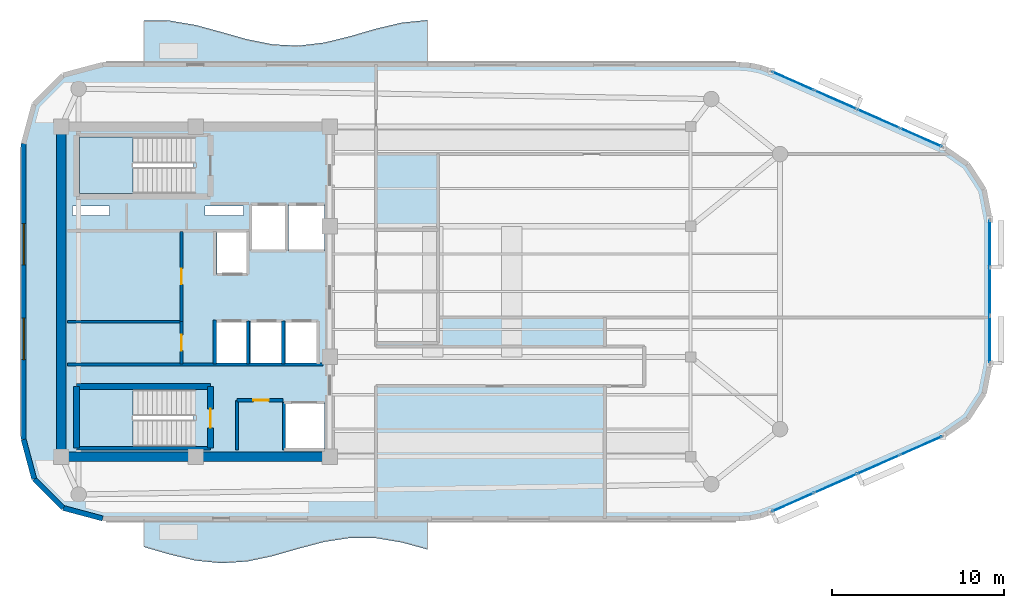
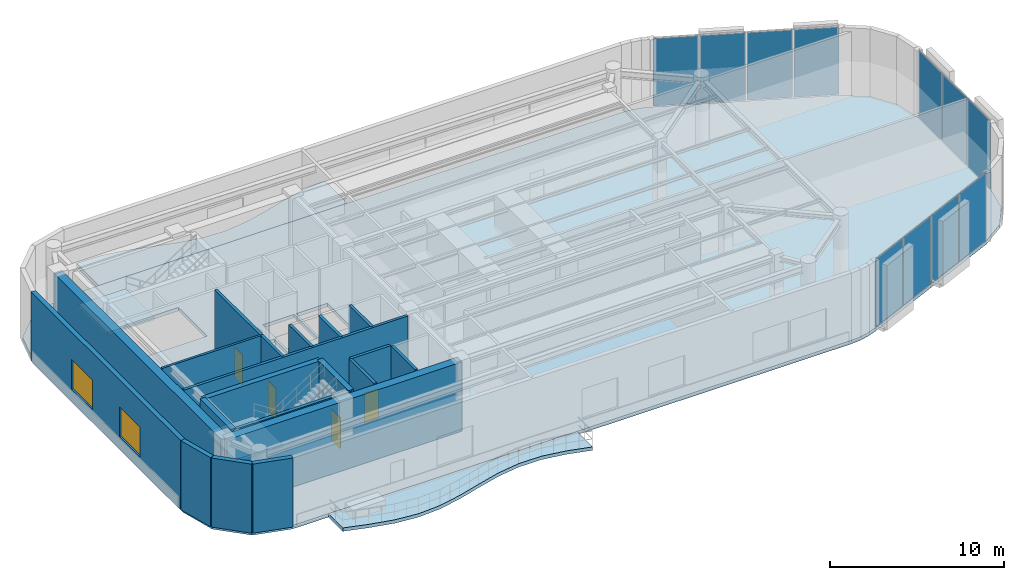
# One storey, part 7 of 12: 20 walls, 11 plates, 5 slabs, 4 doors, 2 windows, 6 openings, 5 elements without a shape of their own.
"""IFC4 building model written with IfcOpenShell, lengths in metres."""

from ifc_helpers import new_model, si_unit, direction, frame, frame_2d, origin, origin_2d, place, context, subcontext, project, spatial, polyline, rectangle, outline, extrude, material, layer, layer_set, type_object, element, fill, aggregate, save


model = new_model("IFC4")

# Units and contexts
model_context = context("Model", 3, precision=1e-05, world=origin(), true_north=direction((0.0, 1.0)))
body_context = subcontext(model_context, "Body", "Model", "MODEL_VIEW")
ifc_project = project(units=[si_unit("LENGTHUNIT", "METRE"), si_unit("AREAUNIT", "SQUARE_METRE"), si_unit("VOLUMEUNIT", "CUBIC_METRE"), si_unit("PLANEANGLEUNIT", "RADIAN"), si_unit("MASSUNIT", "GRAM", prefix="KILO")], contexts=[model_context])

# Site, building, storey
site_placement = place(None, origin())
site = spatial("IfcSite", under=ifc_project, at=site_placement, CompositionType="ELEMENT")
building_placement = place(site_placement, origin())
building = spatial("IfcBuilding", under=site, at=building_placement, Name="An Khanh Terracotta Commons", CompositionType="ELEMENT")
storey_placement = place(building_placement, frame((0.0, 0.0, 295.300048828125)))
storey = spatial("IfcBuildingStorey", under=building, at=storey_placement, Name="L77", CompositionType="ELEMENT", Elevation=295.300048828125)

# Curtain wall, plates
ifc_material_1 = material(Name="Anodised Aluminium 6063-T6", Category="aluminium")
ifc_layer_1 = layer(ifc_material_1, 0.239990234375, Name="Anodised Aluminium 6063-T6")
ifc_layer_set_1 = layer_set([ifc_layer_1], Name="Anodised Aluminium 6063-T6")
curtain_wall_type = type_object("IfcCurtainWallType", Name="CW-SYS-04", PredefinedType="USERDEFINED", material=ifc_layer_set_1)
curtain_wall_1_placement = place(storey_placement, origin())
curtain_wall_1 = element("IfcCurtainWall", 1, at=curtain_wall_1_placement, inside=storey, type_object=curtain_wall_type, Name="L77 CW-04 Unitised Curtain Wall CW-L77-08", ObjectType="UNITISED CURTAIN WALL", PredefinedType="USERDEFINED")
ifc_material_2 = material(Name="Triple-Silver Sky-Lobby Glazing", Category="glass")
ifc_layer_2 = layer(ifc_material_2, 0.0400390625, Name="Triple-Silver Sky-Lobby Glazing")
ifc_layer_set_2 = layer_set([ifc_layer_2], Name="Triple-Silver Sky-Lobby Glazing")
plate_type = type_object("IfcPlateType", Name="CWP-IGU-40", PredefinedType="CURTAIN_PANEL", material=ifc_layer_set_2)
plate_1_placement = place(storey_placement, frame((64.151611328125, 11.7490234375, 0.06005859375), z_axis=(0.0, 0.0, 1.0), x_axis=(0.914901853201, 0.403676354285, 0.0)))
plate_1 = element("IfcPlate", 2, at=plate_1_placement, type_object=plate_type, Name="CW-04 panel 1.1", PredefinedType="CURTAIN_PANEL", context=body_context, shape_type="SweptSolid", body=[
    extrude(rectangle(XDim=2.604248046875, YDim=0.0400390625, at=origin_2d()), origin(), (0.0, 0.0, 1.0), 4.72998046875),
])
plate_2_placement = place(storey_placement, frame((66.625732421875, 12.840576171875, 0.06005859375), z_axis=(0.0, 0.0, 1.0), x_axis=(0.914901853201, 0.403676354285, 0.0)))
plate_2 = element("IfcPlate", 3, at=plate_2_placement, type_object=plate_type, Name="CW-04 panel 2.1", PredefinedType="CURTAIN_PANEL", context=body_context, shape_type="SweptSolid", body=[
    extrude(rectangle(XDim=2.644287109375, YDim=0.0400390625, at=origin_2d()), origin(), (0.0, 0.0, 1.0), 4.72998046875),
])
plate_3_placement = place(storey_placement, frame((69.1181640625, 13.9404296875, 0.06005859375), z_axis=(0.0, 0.0, 1.0), x_axis=(0.914901853201, 0.403676354285, 0.0)))
plate_3 = element("IfcPlate", 4, at=plate_3_placement, type_object=plate_type, Name="CW-04 panel 3.1", PredefinedType="CURTAIN_PANEL", context=body_context, shape_type="SweptSolid", body=[
    extrude(rectangle(XDim=2.644287109375, YDim=0.0400390625, at=origin_2d()), origin(), (0.0, 0.0, 1.0), 4.72998046875),
])
plate_4_placement = place(storey_placement, frame((71.592529296875, 15.031982421875, 0.06005859375), z_axis=(0.0, 0.0, 1.0), x_axis=(0.914901853201, 0.403676354285, 0.0)))
plate_4 = element("IfcPlate", 5, at=plate_4_placement, type_object=plate_type, Name="CW-04 panel 4.1", PredefinedType="CURTAIN_PANEL", context=body_context, shape_type="SweptSolid", body=[
    extrude(rectangle(XDim=2.604248046875, YDim=0.0400390625, at=origin_2d()), origin(), (0.0, 0.0, 1.0), 4.72998046875),
])
aggregate(curtain_wall_1, [plate_1, plate_2, plate_3, plate_4])

curtain_wall_2_placement = place(storey_placement, origin())
curtain_wall_2 = element("IfcCurtainWall", 6, at=curtain_wall_2_placement, inside=storey, type_object=curtain_wall_type, Name="L77 CW-04 Unitised Curtain Wall CW-L77-12", ObjectType="UNITISED CURTAIN WALL", PredefinedType="USERDEFINED")
plate_5_placement = place(storey_placement, frame((75.60009765625, 21.21875, 0.06005859375), z_axis=(0.0, 0.0, 1.0), x_axis=(0.0, 1.0, 0.0)))
plate_5 = element("IfcPlate", 7, at=plate_5_placement, type_object=plate_type, Name="CW-04 panel 1.1", PredefinedType="CURTAIN_PANEL", context=body_context, shape_type="SweptSolid", body=[
    extrude(rectangle(XDim=2.681396484375, YDim=0.0400390625, at=origin_2d()), origin(), (0.0, 0.0, 1.0), 4.72998046875),
])
plate_6_placement = place(storey_placement, frame((75.60009765625, 24.0, 0.06005859375), z_axis=(0.0, 0.0, 1.0), x_axis=(0.0, 1.0, 0.0)))
plate_6 = element("IfcPlate", 8, at=plate_6_placement, type_object=plate_type, Name="CW-04 panel 2.1", PredefinedType="CURTAIN_PANEL", context=body_context, shape_type="SweptSolid", body=[
    extrude(rectangle(XDim=2.721435546875, YDim=0.0400390625, at=origin_2d()), origin(), (0.0, 0.0, 1.0), 4.72998046875),
])
plate_7_placement = place(storey_placement, frame((75.60009765625, 26.78125, 0.06005859375), z_axis=(0.0, 0.0, 1.0), x_axis=(0.0, 1.0, 0.0)))
plate_7 = element("IfcPlate", 9, at=plate_7_placement, type_object=plate_type, Name="CW-04 panel 3.1", PredefinedType="CURTAIN_PANEL", context=body_context, shape_type="SweptSolid", body=[
    extrude(rectangle(XDim=2.681396484375, YDim=0.0400390625, at=origin_2d()), origin(), (0.0, 0.0, 1.0), 4.72998046875),
])
aggregate(curtain_wall_2, [plate_5, plate_6, plate_7])

curtain_wall_3_placement = place(storey_placement, origin())
curtain_wall_3 = element("IfcCurtainWall", 10, at=curtain_wall_3_placement, inside=storey, type_object=curtain_wall_type, Name="L77 CW-04 Unitised Curtain Wall CW-L77-16", ObjectType="UNITISED CURTAIN WALL", PredefinedType="USERDEFINED")
plate_8_placement = place(storey_placement, frame((71.592529296875, 32.968017578125, 0.06005859375), z_axis=(0.0, 0.0, 1.0), x_axis=(-0.914901853201, 0.403676354285, 0.0)))
plate_8 = element("IfcPlate", 11, at=plate_8_placement, type_object=plate_type, Name="CW-04 panel 1.1", PredefinedType="CURTAIN_PANEL", context=body_context, shape_type="SweptSolid", body=[
    extrude(rectangle(XDim=2.604248046875, YDim=0.0400390625, at=origin_2d()), origin(), (0.0, 0.0, 1.0), 4.72998046875),
])
plate_9_placement = place(storey_placement, frame((69.1181640625, 34.0595703125, 0.06005859375), z_axis=(0.0, 0.0, 1.0), x_axis=(-0.914901853201, 0.403676354285, 0.0)))
plate_9 = element("IfcPlate", 12, at=plate_9_placement, type_object=plate_type, Name="CW-04 panel 2.1", PredefinedType="CURTAIN_PANEL", context=body_context, shape_type="SweptSolid", body=[
    extrude(rectangle(XDim=2.644287109375, YDim=0.0400390625, at=origin_2d()), origin(), (0.0, 0.0, 1.0), 4.72998046875),
])
plate_10_placement = place(storey_placement, frame((66.625732421875, 35.159423828125, 0.06005859375), z_axis=(0.0, 0.0, 1.0), x_axis=(-0.914901853201, 0.403676354285, 0.0)))
plate_10 = element("IfcPlate", 13, at=plate_10_placement, type_object=plate_type, Name="CW-04 panel 3.1", PredefinedType="CURTAIN_PANEL", context=body_context, shape_type="SweptSolid", body=[
    extrude(rectangle(XDim=2.644287109375, YDim=0.0400390625, at=origin_2d()), origin(), (0.0, 0.0, 1.0), 4.72998046875),
])
plate_11_placement = place(storey_placement, frame((64.151611328125, 36.2509765625, 0.06005859375), z_axis=(0.0, 0.0, 1.0), x_axis=(-0.914901853201, 0.403676354285, 0.0)))
plate_11 = element("IfcPlate", 14, at=plate_11_placement, type_object=plate_type, Name="CW-04 panel 4.1", PredefinedType="CURTAIN_PANEL", context=body_context, shape_type="SweptSolid", body=[
    extrude(rectangle(XDim=2.604248046875, YDim=0.0400390625, at=origin_2d()), origin(), (0.0, 0.0, 1.0), 4.72998046875),
])
aggregate(curtain_wall_3, [plate_8, plate_9, plate_10, plate_11])

# Slabs
ifc_material_3 = material(Name="Concrete C40/50", Category="concrete")
ifc_layer_3 = layer(ifc_material_3, 0.239990234375, Name="Concrete C40/50")
ifc_layer_set_3 = layer_set([ifc_layer_3], Name="Concrete C40/50")
slab_type_1 = type_object("IfcSlabType", Name="SLAB-BALC-240", PredefinedType="FLOOR", material=ifc_layer_set_3)
slab_1_placement = place(storey_placement, frame((0.0, 0.0, -0.239990234375)))
element("IfcSlab", 15, at=slab_1_placement, inside=storey, type_object=slab_type_1, Name="L77 S Sinusoidal Wave Balcony Slab", PredefinedType="FLOOR", context=body_context, shape_type="SweptSolid", body=[
    extrude(outline(polyline([(26.39990234375, 10.800048828125), (26.39990234375, 9.14404296875), (27.89990234375, 8.708984375), (29.39990234375, 8.35498046875), (30.89990234375, 8.201904296875), (32.39990234375, 8.300048828125), (33.89990234375, 8.617919921875), (35.39990234375, 9.048095703125), (36.89990234375, 9.445068359375), (38.39990234375, 9.674072265625), (39.89990234375, 9.659912109375), (41.39990234375, 9.406982421875), (42.89990234375, 8.9990234375), (42.89990234375, 10.800048828125), (26.39990234375, 10.800048828125)])), origin(), (0.0, 0.0, 1.0), 0.239990234375),
])
slab_2_placement = place(storey_placement, frame((0.0, 0.0, -0.239990234375)))
element("IfcSlab", 16, at=slab_2_placement, inside=storey, type_object=slab_type_1, Name="L77 N Sinusoidal Wave Balcony Slab", PredefinedType="FLOOR", context=body_context, shape_type="SweptSolid", body=[
    extrude(outline(polyline([(42.89990234375, 37.199951171875), (42.89990234375, 39.798095703125), (41.39990234375, 39.64501953125), (39.89990234375, 39.291015625), (38.39990234375, 38.85595703125), (36.89990234375, 38.486083984375), (35.39990234375, 38.305908203125), (33.89990234375, 38.376953125), (32.39990234375, 38.675048828125), (30.89990234375, 39.09912109375), (29.39990234375, 39.507080078125), (27.89990234375, 39.760009765625), (26.39990234375, 39.77392578125), (26.39990234375, 37.199951171875), (42.89990234375, 37.199951171875)])), origin(), (0.0, 0.0, 1.0), 0.239990234375),
])

# Stair, slab
ifc_material_4 = material(Name="Precast concrete C40/50", Category="concrete")
stair_type = type_object("IfcStairType", Name="STAIR-CORE-1550", PredefinedType="HALF_TURN_STAIR", material=ifc_material_4)
stair_1_placement = place(storey_placement, origin())
stair_1 = element("IfcStair", 17, at=stair_1_placement, inside=storey, type_object=stair_type, Name="L77 Core Smokeproof Exit Stair ST-01", PredefinedType="HALF_TURN_STAIR")
ifc_layer_4 = layer(ifc_material_3, 0.18994140625, Name="Concrete C40/50")
ifc_layer_set_4 = layer_set([ifc_layer_4], Name="Concrete C40/50")
slab_type_2 = type_object("IfcSlabType", Name="SLAB-LANDING-190", PredefinedType="LANDING", material=ifc_layer_set_4)
slab_3_placement = place(storey_placement, frame((0.0, 0.0, 2.349853515625)))
slab_3 = element("IfcSlab", 18, at=slab_3_placement, type_object=slab_type_2, Name="ST-01 landing 1", PredefinedType="LANDING", context=body_context, shape_type="SweptSolid", body=[
    extrude(outline(polyline([(25.77001953125, 33.0), (22.64990234375, 33.0), (22.64990234375, 29.699951171875), (25.77001953125, 29.699951171875), (25.77001953125, 33.0)])), origin(), (0.0, 0.0, 1.0), 0.2001953125),
])
aggregate(stair_1, [slab_3])

stair_2_placement = place(storey_placement, origin())
stair_2 = element("IfcStair", 19, at=stair_2_placement, inside=storey, type_object=stair_type, Name="L77 Core Smokeproof Exit Stair ST-02", PredefinedType="HALF_TURN_STAIR")
slab_4_placement = place(storey_placement, frame((0.0, 0.0, 2.349853515625)))
slab_4 = element("IfcSlab", 20, at=slab_4_placement, type_object=slab_type_2, Name="ST-02 landing 1", PredefinedType="LANDING", context=body_context, shape_type="SweptSolid", body=[
    extrude(outline(polyline([(25.77001953125, 18.300048828125), (22.64990234375, 18.300048828125), (22.64990234375, 15.0), (25.77001953125, 15.0), (25.77001953125, 18.300048828125)])), origin(), (0.0, 0.0, 1.0), 0.2001953125),
])
aggregate(stair_2, [slab_4])

# Slab
ifc_layer_5 = layer(ifc_material_3, 0.239990234375, Name="Concrete C40/50")
ifc_layer_set_5 = layer_set([ifc_layer_5], Name="Concrete C40/50")
slab_type_3 = type_object("IfcSlabType", Name="SLAB-SKY-240", PredefinedType="FLOOR", material=ifc_layer_set_5)
slab_5_placement = place(storey_placement, frame((0.0, 0.0, -0.239990234375)))
element("IfcSlab", 21, at=slab_5_placement, inside=storey, type_object=slab_type_3, Name="L77 Structural Floor Slab", PredefinedType="FLOOR", context=body_context, shape_type="SweptSolid", body=[
    extrude(outline(polyline([(19.39990234375, 15.39990234375), (20.01611328125, 13.10009765625), (21.699951171875, 11.416015625), (24.0, 10.800048828125), (61.030029296875, 10.800048828125), (61.6650390625, 10.843994140625), (62.2880859375, 10.97509765625), (62.886962890625, 11.19091796875), (72.85693359375, 15.590087890625), (74.302001953125, 16.594970703125), (75.262939453125, 18.070068359375), (75.60009765625, 19.798095703125), (75.60009765625, 28.201904296875), (75.262939453125, 29.929931640625), (74.302001953125, 31.405029296875), (72.85693359375, 32.409912109375), (62.886962890625, 36.80908203125), (62.2880859375, 37.02490234375), (61.6650390625, 37.156005859375), (61.030029296875, 37.199951171875), (24.0, 37.199951171875), (21.699951171875, 36.583984375), (20.01611328125, 34.89990234375), (19.39990234375, 32.60009765625), (19.39990234375, 15.39990234375)]), holes=[polyline([(22.64990234375, 29.699951171875), (29.27001953125, 29.699951171875), (29.27001953125, 33.0), (22.64990234375, 33.0), (22.64990234375, 29.699951171875)]), polyline([(22.64990234375, 15.0), (29.27001953125, 15.0), (29.27001953125, 18.300048828125), (22.64990234375, 18.300048828125), (22.64990234375, 15.0)]), polyline([(32.60009765625, 26.35009765625), (34.679931640625, 26.35009765625), (34.679931640625, 29.080078125), (32.60009765625, 29.080078125), (32.60009765625, 26.35009765625)]), polyline([(34.820068359375, 26.35009765625), (36.89990234375, 26.35009765625), (36.89990234375, 29.080078125), (34.820068359375, 29.080078125), (34.820068359375, 26.35009765625)]), polyline([(34.550048828125, 14.800048828125), (36.89990234375, 14.800048828125), (36.89990234375, 17.550048828125), (34.550048828125, 17.550048828125), (34.550048828125, 14.800048828125)]), polyline([(30.639892578125, 25.0), (32.4599609375, 25.0), (32.4599609375, 27.5), (30.639892578125, 27.5), (30.639892578125, 25.0)]), polyline([(30.56005859375, 19.800048828125), (32.4599609375, 19.800048828125), (32.4599609375, 22.300048828125), (30.56005859375, 22.300048828125), (30.56005859375, 19.800048828125)]), polyline([(32.60009765625, 19.800048828125), (34.5, 19.800048828125), (34.5, 22.300048828125), (32.60009765625, 22.300048828125), (32.60009765625, 19.800048828125)]), polyline([(34.639892578125, 19.800048828125), (36.5400390625, 19.800048828125), (36.5400390625, 22.300048828125), (34.639892578125, 22.300048828125), (34.639892578125, 19.800048828125)]), polyline([(22.25, 28.419921875), (24.39990234375, 28.419921875), (24.39990234375, 28.97998046875), (22.25, 28.97998046875), (22.25, 28.419921875)]), polyline([(29.949951171875, 28.419921875), (32.199951171875, 28.419921875), (32.199951171875, 28.97998046875), (29.949951171875, 28.97998046875), (29.949951171875, 28.419921875)])]), origin(), (0.0, 0.0, 1.0), 0.239990234375),
])

# Walls
ifc_material_5 = material(Name="Concrete C50/60", Category="concrete")
ifc_layer_6 = layer(ifc_material_5, 0.550048828125, Name="Concrete C50/60")
ifc_layer_set_6 = layer_set([ifc_layer_6], Name="Concrete C50/60")
wall_type_1 = type_object("IfcWallType", Name="WALL-CORE-550", PredefinedType="SHEAR", material=ifc_layer_set_6)
wall_1_placement = place(storey_placement, frame((21.60009765625, 14.39990234375, 0.0), z_axis=(0.0, 0.0, 1.0), x_axis=(0.0, 1.0, 0.0)))
element("IfcWall", 22, at=wall_1_placement, inside=storey, type_object=wall_type_1, Name="L77 Core Wall CWALL-L77-W", PredefinedType="SHEAR", context=body_context, shape_type="SweptSolid", body=[
    extrude(rectangle(XDim=19.2001953125, YDim=0.550048828125, at=frame_2d((9.60009765625, 0.0))), origin(), (0.0, 0.0, 1.0), 4.849853515625),
])
wall_2_placement = place(storey_placement, frame((37.199951171875, 14.39990234375, 0.0), z_axis=(0.0, 0.0, 1.0), x_axis=(-1.0, 0.0, 0.0)))
element("IfcWall", 23, at=wall_2_placement, inside=storey, type_object=wall_type_1, Name="L77 Core Wall CWALL-L77-S", PredefinedType="SHEAR", context=body_context, shape_type="SweptSolid", body=[
    extrude(rectangle(XDim=15.599853515625, YDim=0.550048828125, at=frame_2d((7.7998046875, 0.0))), origin(), (0.0, 0.0, 1.0), 4.849853515625),
])
ifc_material_6 = material(Name="Fire-Rated Gypsum Board on Steel Stud", Category="steel")
ifc_layer_7 = layer(ifc_material_6, 0.179931640625, Name="Fire-Rated Gypsum Board on Steel Stud")
ifc_layer_set_7 = layer_set([ifc_layer_7], Name="Fire-Rated Gypsum Board on Steel Stud")
wall_type_2 = type_object("IfcWallType", Name="WALL-CORR-180", PredefinedType="PARTITIONING", material=ifc_layer_set_7)
wall_3_placement = place(storey_placement, frame((21.949951171875, 19.760009765625, 0.0), z_axis=(0.0, 0.0, 1.0), x_axis=(1.0, 0.0, 0.0)))
element("IfcWall", 24, at=wall_3_placement, inside=storey, type_object=wall_type_2, Name="L77 Core Wall SVW-L77-N", PredefinedType="PARTITIONING", context=body_context, shape_type="SweptSolid", body=[
    extrude(rectangle(XDim=14.8701171875, YDim=0.179931640625, at=frame_2d((7.43505859375, 0.0))), origin(), (0.0, 0.0, 1.0), 4.849853515625),
])

# Wall, opening, door
wall_4_placement = place(storey_placement, frame((31.820068359375, 17.679931640625, 0.0), z_axis=(0.0, 0.0, 1.0), x_axis=(1.0, 0.0, 0.0)))
wall_4 = element("IfcWall", 25, at=wall_4_placement, inside=storey, type_object=wall_type_2, Name="L77 Core Wall SSVCW-L77-N", PredefinedType="PARTITIONING", context=body_context, shape_type="SweptSolid", body=[
    extrude(rectangle(XDim=2.659912109375, YDim=0.179931640625, at=frame_2d((1.330078125, 0.0))), origin(), (0.0, 0.0, 1.0), 4.849853515625),
])
opening_1_placement = place(wall_4_placement, frame((0.949951171875, 0.0, 0.0)))
opening_1 = element("IfcOpeningElement", 26, at=opening_1_placement, cuts=wall_4, Name="Opening D-SV", PredefinedType="OPENING", context=body_context, shape_type="SweptSolid", body=[
    extrude(rectangle(XDim=0.89990234375, YDim=2.050048828125, at=frame_2d((0.449951171875, 1.02490234375))), frame((0.0, 0.099853515625, 0.0), z_axis=(0.0, -1.0, 0.0), x_axis=(1.0, 0.0, 0.0)), (0.0, 0.0, 1.0), 0.199951171875),
])
ifc_material_7 = material(Name="Fire-Rated Powder-Coated Steel Door", Category="steel")
door_type_1 = type_object("IfcDoorType", Name="DOOR-SERV-900", OperationType="NOTDEFINED", PredefinedType="DOOR", material=ifc_material_7)
door_1_placement = place(opening_1_placement, origin())
door_1 = element("IfcDoor", 27, at=door_1_placement, inside=storey, type_object=door_type_1, Name="L77 Core Housekeeping Store Door", OperationType="SINGLE_SWING_RIGHT", OverallHeight=2.050048828125, OverallWidth=0.89990234375, PredefinedType="DOOR", context=body_context, shape_type="SweptSolid", body=[
    extrude(rectangle(XDim=0.89990234375, YDim=2.050048828125, at=frame_2d((0.449951171875, 1.02490234375))), frame((0.0, 0.02490234375, 0.0), z_axis=(0.0, -1.0, 0.0), x_axis=(1.0, 0.0, 0.0)), (0.0, 0.0, 1.0), 0.050048828125),
])
fill(opening_1, door_1)

# Walls
wall_5_placement = place(storey_placement, frame((31.820068359375, 14.800048828125, 0.0), z_axis=(0.0, 0.0, 1.0), x_axis=(0.0, 1.0, 0.0)))
element("IfcWall", 28, at=wall_5_placement, inside=storey, type_object=wall_type_2, Name="L77 Core Wall SSVCW-L77-W", PredefinedType="PARTITIONING", context=body_context, shape_type="SweptSolid", body=[
    extrude(rectangle(XDim=2.8798828125, YDim=0.179931640625, at=frame_2d((1.43994140625, 0.0))), origin(), (0.0, 0.0, 1.0), 4.849853515625),
])
wall_6_placement = place(storey_placement, frame((34.550048828125, 17.550048828125, 0.0), z_axis=(0.0, 0.0, 1.0), x_axis=(0.0, -1.0, 0.0)))
element("IfcWall", 29, at=wall_6_placement, inside=storey, type_object=wall_type_2, Name="L77 Core Wall LSH-L77-SVL-01-W", PredefinedType="PARTITIONING", context=body_context, shape_type="SweptSolid", body=[
    extrude(rectangle(XDim=2.75, YDim=0.179931640625, at=frame_2d((1.375, 0.0))), origin(), (0.0, 0.0, 1.0), 4.849853515625),
])
for number, where, z_axis, x_axis, name in (
    (30, (32.4599609375, 19.800048828125, 0.0), (0.0, 0.0, 1.0), (0.0, 1.0, 0.0), "L77 Core Wall LSH-L77-PL-H2-E"),
    (31, (34.5, 19.800048828125, 0.0), (0.0, 0.0, 1.0), (0.0, 1.0, 0.0), "L77 Core Wall LSH-L77-PL-H3-E"),
):
    element("IfcWall", number, at=place(storey_placement, frame(where, z_axis=z_axis, x_axis=x_axis)), inside=storey, type_object=wall_type_2, Name=name, PredefinedType="PARTITIONING", context=body_context, shape_type="SweptSolid", body=[
        extrude(rectangle(XDim=2.5, YDim=0.179931640625, at=frame_2d((1.25, 0.0))), origin(), (0.0, 0.0, 1.0), 4.849853515625),
    ])
wall_7_placement = place(storey_placement, frame((30.52001953125, 19.800048828125, 0.0), z_axis=(0.0, 0.0, 1.0), x_axis=(0.0, 1.0, 0.0)))
element("IfcWall", 32, at=wall_7_placement, inside=storey, type_object=wall_type_2, Name="L77 Core Wall RECW-L77-BE2", PredefinedType="PARTITIONING", context=body_context, shape_type="SweptSolid", body=[
    extrude(rectangle(XDim=2.550048828125, YDim=0.179931640625, at=frame_2d((1.27490234375, 0.0))), origin(), (0.0, 0.0, 1.0), 4.849853515625),
])

# Wall, opening, door
wall_8_placement = place(storey_placement, frame((28.580078125, 22.25, 0.0), z_axis=(0.0, 0.0, 1.0), x_axis=(0.0, 1.0, 0.0)))
wall_8 = element("IfcWall", 33, at=wall_8_placement, inside=storey, type_object=wall_type_2, Name="L77 Core Wall RECW-L77-E1", PredefinedType="PARTITIONING", context=body_context, shape_type="SweptSolid", body=[
    extrude(rectangle(XDim=5.25, YDim=0.179931640625, at=frame_2d((2.625, 0.0))), origin(), (0.0, 0.0, 1.0), 4.849853515625),
])
opening_2_placement = place(wall_8_placement, frame((2.1650390625, 0.0, 0.0)))
opening_2 = element("IfcOpeningElement", 34, at=opening_2_placement, cuts=wall_8, Name="Opening D-RM", PredefinedType="OPENING", context=body_context, shape_type="SweptSolid", body=[
    extrude(rectangle(XDim=0.919921875, YDim=2.10009765625, at=frame_2d((0.4599609375, 1.050048828125))), frame((0.0, 0.099853515625, 0.0), z_axis=(0.0, -1.0, 0.0), x_axis=(1.0, 0.0, 0.0)), (0.0, 0.0, 1.0), 0.199951171875),
])
ifc_material_8 = material(Name="Engineered Hardwood Timber Leaf", Category="wood")
door_type_2 = type_object("IfcDoorType", Name="DOOR-INT-920", OperationType="NOTDEFINED", PredefinedType="DOOR", material=ifc_material_8)
door_2_placement = place(opening_2_placement, origin())
door_2 = element("IfcDoor", 35, at=door_2_placement, inside=storey, type_object=door_type_2, Name="L77 Quiet Fellowship Study Room Door", OperationType="SINGLE_SWING_LEFT", OverallHeight=2.10009765625, OverallWidth=0.919921875, PredefinedType="DOOR", context=body_context, shape_type="SweptSolid", body=[
    extrude(rectangle(XDim=0.919921875, YDim=2.10009765625, at=frame_2d((0.4599609375, 1.050048828125))), frame((0.0, 0.02490234375, 0.0), z_axis=(0.0, -1.0, 0.0), x_axis=(1.0, 0.0, 0.0)), (0.0, 0.0, 1.0), 0.050048828125),
])
fill(opening_2, door_2)

wall_9_placement = place(storey_placement, frame((28.580078125, 19.800048828125, 0.0), z_axis=(0.0, 0.0, 1.0), x_axis=(0.0, 1.0, 0.0)))
wall_9 = element("IfcWall", 36, at=wall_9_placement, inside=storey, type_object=wall_type_2, Name="L77 Core Wall RECW-L77-E2", PredefinedType="PARTITIONING", context=body_context, shape_type="SweptSolid", body=[
    extrude(rectangle(XDim=2.449951171875, YDim=0.179931640625, at=frame_2d((1.22509765625, 0.0))), origin(), (0.0, 0.0, 1.0), 4.849853515625),
])
opening_3_placement = place(wall_9_placement, frame((0.764892578125, 0.0, 0.0)))
opening_3 = element("IfcOpeningElement", 37, at=opening_3_placement, cuts=wall_9, Name="Opening D-RM", PredefinedType="OPENING", context=body_context, shape_type="SweptSolid", body=[
    extrude(rectangle(XDim=0.919921875, YDim=2.10009765625, at=frame_2d((0.4599609375, 1.050048828125))), frame((0.0, 0.099853515625, 0.0), z_axis=(0.0, -1.0, 0.0), x_axis=(1.0, 0.0, 0.0)), (0.0, 0.0, 1.0), 0.199951171875),
])
door_3_placement = place(opening_3_placement, origin())
door_3 = element("IfcDoor", 38, at=door_3_placement, inside=storey, type_object=door_type_2, Name="L77 Floor Pantry and Ice Room Door", OperationType="SINGLE_SWING_RIGHT", OverallHeight=2.10009765625, OverallWidth=0.919921875, PredefinedType="DOOR", context=body_context, shape_type="SweptSolid", body=[
    extrude(rectangle(XDim=0.919921875, YDim=2.10009765625, at=frame_2d((0.4599609375, 1.050048828125))), frame((0.0, 0.02490234375, 0.0), z_axis=(0.0, -1.0, 0.0), x_axis=(1.0, 0.0, 0.0)), (0.0, 0.0, 1.0), 0.050048828125),
])
fill(opening_3, door_3)

# Walls
ifc_layer_8 = layer(ifc_material_4, 0.300048828125, Name="Precast concrete C40/50")
ifc_layer_set_8 = layer_set([ifc_layer_8], Name="Precast concrete C40/50")
wall_type_3 = type_object("IfcWallType", Name="WALL-EXT-300", PredefinedType="SOLIDWALL", material=ifc_layer_set_8)
wall_10_placement = place(storey_placement, frame((19.39990234375, 15.39990234375, 0.0), z_axis=(0.0, 0.0, 1.0), x_axis=(0.258811258154, -0.965927912762, 0.0)))
element("IfcWall", 39, at=wall_10_placement, inside=storey, type_object=wall_type_3, Name="L77 Insulated Terracotta Exterior Wall 1", PredefinedType="SOLIDWALL", context=body_context, shape_type="SweptSolid", body=[
    extrude(rectangle(XDim=2.380859375, YDim=0.300048828125, at=frame_2d((1.1904296875, 0.0))), origin(), (0.0, 0.0, 1.0), 4.849853515625),
])
wall_11_placement = place(storey_placement, frame((20.01611328125, 13.10009765625, 0.0), z_axis=(0.0, 0.0, 1.0), x_axis=(0.707055521135, -0.707158037522, 0.0)))
element("IfcWall", 40, at=wall_11_placement, inside=storey, type_object=wall_type_3, Name="L77 Insulated Terracotta Exterior Wall 2", PredefinedType="SOLIDWALL", context=body_context, shape_type="SweptSolid", body=[
    extrude(rectangle(XDim=2.381591796875, YDim=0.300048828125, at=frame_2d((1.19091796875, 0.0))), origin(), (0.0, 0.0, 1.0), 4.849853515625),
])
wall_12_placement = place(storey_placement, frame((21.699951171875, 11.416015625, 0.0), z_axis=(0.0, 0.0, 1.0), x_axis=(0.965960405575, -0.25868995895, 0.0)))
element("IfcWall", 41, at=wall_12_placement, inside=storey, type_object=wall_type_3, Name="L77 Insulated Terracotta Exterior Wall 3", PredefinedType="SOLIDWALL", context=body_context, shape_type="SweptSolid", body=[
    extrude(rectangle(XDim=2.381103515625, YDim=0.300048828125, at=frame_2d((1.1904296875, 0.0))), origin(), (0.0, 0.0, 1.0), 4.849853515625),
])

# Wall, openings, windows
wall_13_placement = place(storey_placement, frame((19.39990234375, 32.60009765625, 0.0), z_axis=(0.0, 0.0, 1.0), x_axis=(0.0, -1.0, 0.0)))
wall_13 = element("IfcWall", 42, at=wall_13_placement, inside=storey, type_object=wall_type_3, Name="L77 Insulated Terracotta Exterior Wall 24", PredefinedType="SOLIDWALL", context=body_context, shape_type="SweptSolid", body=[
    extrude(rectangle(XDim=17.2001953125, YDim=0.300048828125, at=frame_2d((8.60009765625, 0.0))), origin(), (0.0, 0.0, 1.0), 4.849853515625),
])
opening_4_placement = place(wall_13_placement, frame((4.64990234375, 0.0, 0.85009765625)))
opening_4 = element("IfcOpeningElement", 43, at=opening_4_placement, cuts=wall_13, Name="Opening W-07", PredefinedType="OPENING", context=body_context, shape_type="SweptSolid", body=[
    extrude(rectangle(XDim=2.39990234375, YDim=2.10009765625, at=frame_2d((1.199951171875, 1.050048828125))), frame((0.0, 0.159912109375, 0.0), z_axis=(0.0, -1.0, 0.0), x_axis=(1.0, 0.0, 0.0)), (0.0, 0.0, 1.0), 0.320068359375),
])
opening_5_placement = place(wall_13_placement, frame((10.14990234375, 0.0, 0.85009765625)))
opening_5 = element("IfcOpeningElement", 44, at=opening_5_placement, cuts=wall_13, Name="Opening W-07", PredefinedType="OPENING", context=body_context, shape_type="SweptSolid", body=[
    extrude(rectangle(XDim=2.39990234375, YDim=2.10009765625, at=frame_2d((1.199951171875, 1.050048828125))), frame((0.0, 0.159912109375, 0.0), z_axis=(0.0, -1.0, 0.0), x_axis=(1.0, 0.0, 0.0)), (0.0, 0.0, 1.0), 0.320068359375),
])
ifc_material_9 = material(Name="Thermally Broken Aluminium and Low-E Glass", Category="aluminium")
window_type = type_object("IfcWindowType", Name="WIN-SKY-2400x2100", PartitioningType="TRIPLE_PANEL_VERTICAL", PredefinedType="WINDOW", material=ifc_material_9)
window_1_placement = place(opening_4_placement, origin())
window_1 = element("IfcWindow", 45, at=window_1_placement, inside=storey, type_object=window_type, Name="L77 Operable Casement Window 24.1", OverallHeight=2.10009765625, OverallWidth=2.39990234375, PartitioningType="TRIPLE_PANEL_VERTICAL", PredefinedType="WINDOW", context=body_context, shape_type="SweptSolid", body=[
    extrude(rectangle(XDim=2.39990234375, YDim=2.10009765625, at=frame_2d((1.199951171875, 1.050048828125))), frame((0.0, 0.030029296875, 0.0), z_axis=(0.0, -1.0, 0.0), x_axis=(1.0, 0.0, 0.0)), (0.0, 0.0, 1.0), 0.06005859375),
])
fill(opening_4, window_1)
window_2_placement = place(opening_5_placement, origin())
window_2 = element("IfcWindow", 46, at=window_2_placement, inside=storey, type_object=window_type, Name="L77 Operable Casement Window 24.2", OverallHeight=2.10009765625, OverallWidth=2.39990234375, PartitioningType="TRIPLE_PANEL_VERTICAL", PredefinedType="WINDOW", context=body_context, shape_type="SweptSolid", body=[
    extrude(rectangle(XDim=2.39990234375, YDim=2.10009765625, at=frame_2d((1.199951171875, 1.050048828125))), frame((0.0, 0.030029296875, 0.0), z_axis=(0.0, -1.0, 0.0), x_axis=(1.0, 0.0, 0.0)), (0.0, 0.0, 1.0), 0.06005859375),
])
fill(opening_5, window_2)

# Walls
ifc_material_10 = material(Name="Acoustic Gypsum Board Partition")
ifc_layer_9 = layer(ifc_material_10, 0.14990234375, Name="Acoustic Gypsum Board Partition")
ifc_layer_set_9 = layer_set([ifc_layer_9], Name="Acoustic Gypsum Board Partition")
wall_type_4 = type_object("IfcWallType", Name="WALL-PART-150", PredefinedType="PARTITIONING", material=ifc_layer_set_9)
wall_14_placement = place(storey_placement, frame((21.949951171875, 22.25, 0.0), z_axis=(0.0, 0.0, 1.0), x_axis=(1.0, 0.0, 0.0)))
element("IfcWall", 47, at=wall_14_placement, inside=storey, type_object=wall_type_4, Name="L77 Core Wall RECW-L77-M", PredefinedType="PARTITIONING", context=body_context, shape_type="SweptSolid", body=[
    extrude(rectangle(XDim=6.630126953125, YDim=0.14990234375, at=frame_2d((3.31494140625, 0.0))), origin(), (0.0, 0.0, 1.0), 4.849853515625),
])
ifc_material_11 = material(Name="Acoustic Double-Stud Gypsum and Mineral Wool")
ifc_layer_10 = layer(ifc_material_11, 0.219970703125, Name="Acoustic Double-Stud Gypsum and Mineral Wool")
ifc_layer_set_10 = layer_set([ifc_layer_10], Name="Acoustic Double-Stud Gypsum and Mineral Wool")
wall_type_5 = type_object("IfcWallType", Name="WALL-PARTY-220", PredefinedType="PARTITIONING", material=ifc_layer_set_10)
wall_15_placement = place(storey_placement, frame((22.47998046875, 14.889892578125, 0.0), z_axis=(0.0, 0.0, 1.0), x_axis=(1.0, 0.0, 0.0)))
element("IfcWall", 48, at=wall_15_placement, inside=storey, type_object=wall_type_5, Name="L77 Core Wall STW-L77-S-S", PredefinedType="PARTITIONING", context=body_context, shape_type="SweptSolid", body=[
    extrude(rectangle(XDim=7.7900390625, YDim=0.219970703125, at=frame_2d((3.89501953125, 0.0))), origin(), (0.0, 0.0, 1.0), 4.849853515625),
])
ifc_layer_11 = layer(ifc_material_5, 0.35009765625, Name="Concrete C50/60")
ifc_layer_set_11 = layer_set([ifc_layer_11], Name="Concrete C50/60")
wall_type_6 = type_object("IfcWallType", Name="WALL-SHAFT-350", PredefinedType="SOLIDWALL", material=ifc_layer_set_11)
wall_16_placement = place(storey_placement, frame((22.47998046875, 18.469970703125, 0.0), z_axis=(0.0, 0.0, 1.0), x_axis=(1.0, 0.0, 0.0)))
element("IfcWall", 49, at=wall_16_placement, inside=storey, type_object=wall_type_6, Name="L77 Core Wall STW-L77-S-N", PredefinedType="SOLIDWALL", context=body_context, shape_type="SweptSolid", body=[
    extrude(rectangle(XDim=7.7900390625, YDim=0.35009765625, at=frame_2d((3.89501953125, 0.0))), origin(), (0.0, 0.0, 1.0), 4.849853515625),
])
wall_17_placement = place(storey_placement, frame((22.47998046875, 14.889892578125, 0.0), z_axis=(0.0, 0.0, 1.0), x_axis=(0.0, 1.0, 0.0)))
element("IfcWall", 50, at=wall_17_placement, inside=storey, type_object=wall_type_6, Name="L77 Core Wall STW-L77-S-W", PredefinedType="SOLIDWALL", context=body_context, shape_type="SweptSolid", body=[
    extrude(rectangle(XDim=3.580078125, YDim=0.35009765625, at=frame_2d((1.7900390625, 0.0))), origin(), (0.0, 0.0, 1.0), 4.849853515625),
])

# Wall, opening, door
wall_18_placement = place(storey_placement, frame((30.27001953125, 14.889892578125, 0.0), z_axis=(0.0, 0.0, 1.0), x_axis=(0.0, 1.0, 0.0)))
wall_18 = element("IfcWall", 51, at=wall_18_placement, inside=storey, type_object=wall_type_6, Name="L77 Core Wall STW-L77-S-E", PredefinedType="SOLIDWALL", context=body_context, shape_type="SweptSolid", body=[
    extrude(rectangle(XDim=3.580078125, YDim=0.35009765625, at=frame_2d((1.7900390625, 0.0))), origin(), (0.0, 0.0, 1.0), 4.849853515625),
])
opening_6_placement = place(wall_18_placement, frame((1.18994140625, 0.0, 0.0)))
opening_6 = element("IfcOpeningElement", 52, at=opening_6_placement, cuts=wall_18, Name="Opening D-ST", PredefinedType="OPENING", context=body_context, shape_type="SweptSolid", body=[
    extrude(rectangle(XDim=1.10009765625, YDim=2.14990234375, at=frame_2d((0.550048828125, 1.074951171875))), frame((0.0, 0.18505859375, 0.0), z_axis=(0.0, -1.0, 0.0), x_axis=(1.0, 0.0, 0.0)), (0.0, 0.0, 1.0), 0.3701171875),
])
ifc_material_12 = material(Name="Fire-Rated Steel Leaf and Frame", Category="steel")
door_type_3 = type_object("IfcDoorType", Name="DOOR-STAIR-1100", OperationType="NOTDEFINED", PredefinedType="DOOR", material=ifc_material_12)
door_4_placement = place(opening_6_placement, origin())
door_4 = element("IfcDoor", 53, at=door_4_placement, inside=storey, type_object=door_type_3, Name="L77 Stair ST-02 Fire Door", OperationType="SINGLE_SWING_LEFT", OverallHeight=2.14990234375, OverallWidth=1.10009765625, PredefinedType="DOOR", context=body_context, shape_type="SweptSolid", body=[
    extrude(rectangle(XDim=1.10009765625, YDim=2.14990234375, at=frame_2d((0.550048828125, 1.074951171875))), frame((0.0, 0.02490234375, 0.0), z_axis=(0.0, -1.0, 0.0), x_axis=(1.0, 0.0, 0.0)), (0.0, 0.0, 1.0), 0.050048828125),
])
fill(opening_6, door_4)

save(model, "model.ifc")
